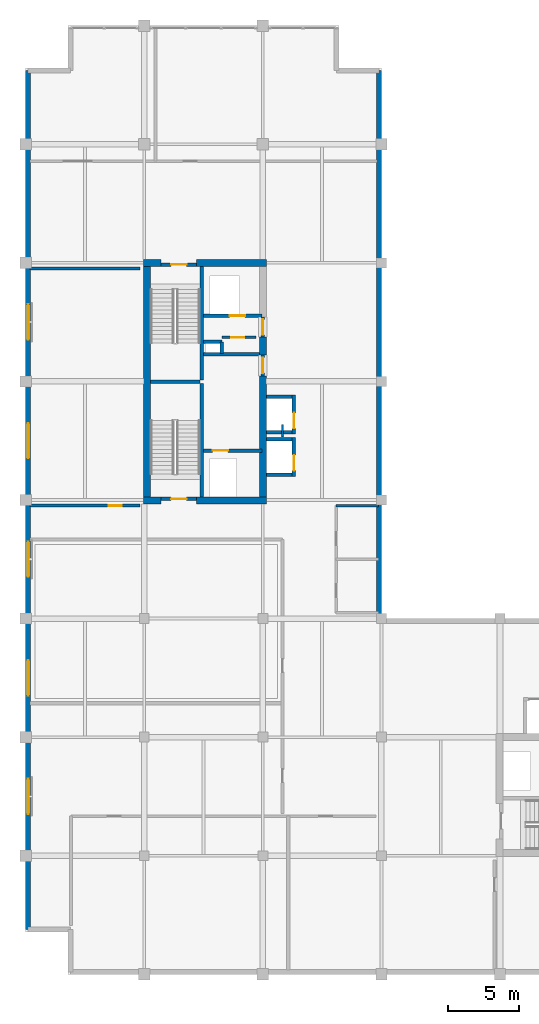
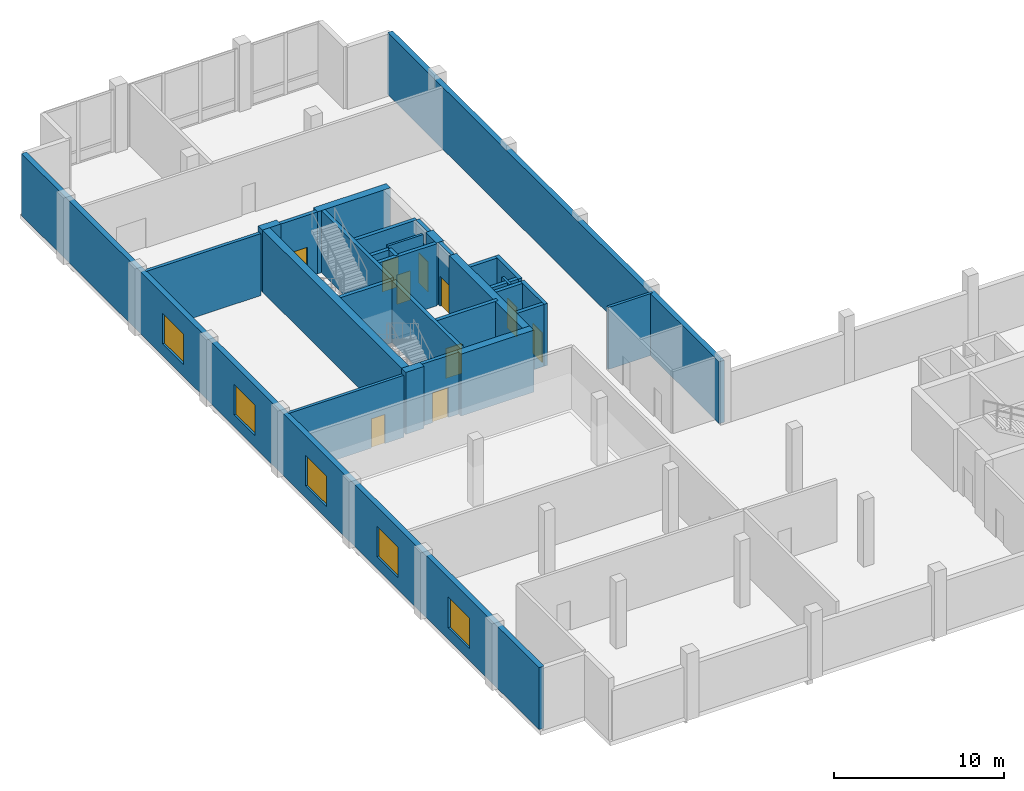
# One storey, part 12 of 18: 32 walls, 10 doors, 5 windows, 15 openings.
"""IFC4 building model written with IfcOpenShell, lengths in metres."""

from ifc_helpers import new_model, si_unit, direction, frame, frame_2d, origin, place, context, subcontext, project, spatial, rectangle, extrude, material, layer, layer_set, type_object, element, fill, save


model = new_model("IFC4")

# Units and contexts
model_context = context("Model", 3, precision=1e-05, world=origin(), true_north=direction((0.0, 1.0)))
body_context = subcontext(model_context, "Body", "Model", "MODEL_VIEW")
ifc_project = project(units=[si_unit("LENGTHUNIT", "METRE"), si_unit("AREAUNIT", "SQUARE_METRE"), si_unit("VOLUMEUNIT", "CUBIC_METRE"), si_unit("PLANEANGLEUNIT", "RADIAN"), si_unit("MASSUNIT", "GRAM", prefix="KILO")], contexts=[model_context])

# Site, building, storey
site_placement = place(None, origin())
site = spatial("IfcSite", under=ifc_project, at=site_placement, CompositionType="ELEMENT")
building_placement = place(site_placement, origin())
building = spatial("IfcBuilding", under=site, at=building_placement, Name="Koriwani Terraces Tower", CompositionType="ELEMENT")
storey_placement = place(building_placement, frame((0.0, 0.0, 363.800048828125)))
storey = spatial("IfcBuildingStorey", under=building, at=storey_placement, Name="L90", CompositionType="ELEMENT", Elevation=363.800048828125)

# Walls
ifc_material_1 = material(Name="Concrete C50/60", Category="concrete")
ifc_layer_1 = layer(ifc_material_1, 0.5, Name="Concrete C50/60")
ifc_layer_set_1 = layer_set([ifc_layer_1], Name="Concrete C50/60")
wall_type_1 = type_object("IfcWallType", Name="WALL_CORE_RC_500", PredefinedType="SHEAR", material=ifc_layer_set_1)
wall_1_placement = place(storey_placement, frame((16.75, 41.949951171875, 0.0), z_axis=(0.0, 0.0, 1.0), x_axis=(1.0, 0.0, 0.0)))
element("IfcWall", 1, at=wall_1_placement, inside=storey, type_object=wall_type_1, Name="L90 West Split Core Shear Wall S1", PredefinedType="SHEAR", context=body_context, shape_type="SweptSolid", body=[
    extrude(rectangle(XDim=1.25, YDim=0.5, at=frame_2d((0.625, 0.0))), origin(), (0.0, 0.0, 1.0), 4.449951171875),
])
wall_2_placement = place(storey_placement, frame((20.5, 41.949951171875, 0.0), z_axis=(0.0, 0.0, 1.0), x_axis=(1.0, 0.0, 0.0)))
element("IfcWall", 2, at=wall_2_placement, inside=storey, type_object=wall_type_1, Name="L90 West Split Core Shear Wall S2", PredefinedType="SHEAR", context=body_context, shape_type="SweptSolid", body=[
    extrude(rectangle(XDim=4.949951171875, YDim=0.5, at=frame_2d((2.47509765625, 0.0))), origin(), (0.0, 0.0, 1.0), 4.449951171875),
])
wall_3_placement = place(storey_placement, frame((16.75, 58.800048828125, 0.0), z_axis=(0.0, 0.0, 1.0), x_axis=(1.0, 0.0, 0.0)))
element("IfcWall", 3, at=wall_3_placement, inside=storey, type_object=wall_type_1, Name="L90 West Split Core Shear Wall N1", PredefinedType="SHEAR", context=body_context, shape_type="SweptSolid", body=[
    extrude(rectangle(XDim=1.25, YDim=0.5, at=frame_2d((0.625, 0.0))), origin(), (0.0, 0.0, 1.0), 4.449951171875),
])
wall_4_placement = place(storey_placement, frame((20.5, 58.800048828125, 0.0), z_axis=(0.0, 0.0, 1.0), x_axis=(1.0, 0.0, 0.0)))
element("IfcWall", 4, at=wall_4_placement, inside=storey, type_object=wall_type_1, Name="L90 West Split Core Shear Wall N2", PredefinedType="SHEAR", context=body_context, shape_type="SweptSolid", body=[
    extrude(rectangle(XDim=4.949951171875, YDim=0.5, at=frame_2d((2.47509765625, 0.0))), origin(), (0.0, 0.0, 1.0), 4.449951171875),
])
wall_5_placement = place(storey_placement, frame((17.0, 42.199951171875, 0.0), z_axis=(0.0, 0.0, 1.0), x_axis=(0.0, 1.0, 0.0)))
element("IfcWall", 5, at=wall_5_placement, inside=storey, type_object=wall_type_1, Name="L90 West Split Core Shear Wall W1", PredefinedType="SHEAR", context=body_context, shape_type="SweptSolid", body=[
    extrude(rectangle(XDim=16.35009765625, YDim=0.5, at=frame_2d((8.175048828125, 0.0))), origin(), (0.0, 0.0, 1.0), 4.449951171875),
])
wall_6_placement = place(storey_placement, frame((25.199951171875, 42.199951171875, 0.0), z_axis=(0.0, 0.0, 1.0), x_axis=(0.0, 1.0, 0.0)))
element("IfcWall", 6, at=wall_6_placement, inside=storey, type_object=wall_type_1, Name="L90 West Split Core Shear Wall E1", PredefinedType="SHEAR", context=body_context, shape_type="SweptSolid", body=[
    extrude(rectangle(XDim=8.60009765625, YDim=0.5, at=frame_2d((4.300048828125, 0.0))), origin(), (0.0, 0.0, 1.0), 4.449951171875),
])
wall_7_placement = place(storey_placement, frame((25.199951171875, 52.280029296875, 0.0), z_axis=(0.0, 0.0, 1.0), x_axis=(0.0, 1.0, 0.0)))
element("IfcWall", 7, at=wall_7_placement, inside=storey, type_object=wall_type_1, Name="L90 West Split Core Shear Wall E2", PredefinedType="SHEAR", context=body_context, shape_type="SweptSolid", body=[
    extrude(rectangle(XDim=1.27001953125, YDim=0.5, at=frame_2d((0.635009765625, 0.0))), origin(), (0.0, 0.0, 1.0), 4.449951171875),
])

# Wall, opening, door
ifc_material_2 = material(Name="Autoclaved Cellular Concrete Blockwork", Category="masonry")
ifc_layer_2 = layer(ifc_material_2, 0.199951171875, Name="Autoclaved Cellular Concrete Blockwork")
ifc_layer_set_2 = layer_set([ifc_layer_2], Name="Autoclaved Cellular Concrete Blockwork")
wall_type_2 = type_object("IfcWallType", Name="WALL_CORRIDOR_200", PredefinedType="PARTITIONING", material=ifc_layer_set_2)
wall_8_placement = place(storey_placement, frame((8.699951171875, 41.60009765625, 0.0), z_axis=(0.0, 0.0, 1.0), x_axis=(1.0, 0.0, 0.0)))
wall_8 = element("IfcWall", 8, at=wall_8_placement, inside=storey, type_object=wall_type_2, Name="L90 Interior Wall WSKY-RECW1-L90", PredefinedType="PARTITIONING", context=body_context, shape_type="SweptSolid", body=[
    extrude(rectangle(XDim=7.800048828125, YDim=0.199951171875, at=frame_2d((3.89990234375, 0.0))), origin(), (0.0, 0.0, 1.0), 4.449951171875),
])
opening_1_placement = place(wall_8_placement, frame((5.60009765625, 0.0, 0.0)))
opening_1 = element("IfcOpeningElement", 9, at=opening_1_placement, cuts=wall_8, Name="Opening D-06", PredefinedType="OPENING", context=body_context, shape_type="SweptSolid", body=[
    extrude(rectangle(XDim=0.919921875, YDim=2.10009765625, at=frame_2d((0.4599609375, 1.050048828125))), frame((0.0, 0.10986328125, 0.0), z_axis=(0.0, -1.0, 0.0), x_axis=(1.0, 0.0, 0.0)), (0.0, 0.0, 1.0), 0.219970703125),
])
ifc_material_3 = material(Name="Architectural Oak Fire Door", Category="wood")
door_type_1 = type_object("IfcDoorType", Name="DOOR_ROOM_INT_920X2100", OperationType="NOTDEFINED", PredefinedType="DOOR", material=ifc_material_3)
door_1_placement = place(opening_1_placement, origin())
door_1 = element("IfcDoor", 10, at=door_1_placement, inside=storey, type_object=door_type_1, Name="L90 Private Summit Boardroom Door", OperationType="SINGLE_SWING_RIGHT", OverallHeight=2.10009765625, OverallWidth=0.919921875, PredefinedType="DOOR", context=body_context, shape_type="SweptSolid", body=[
    extrude(rectangle(XDim=0.919921875, YDim=2.10009765625, at=frame_2d((0.4599609375, 1.050048828125))), frame((0.0, 0.02490234375, 0.0), z_axis=(0.0, -1.0, 0.0), x_axis=(1.0, 0.0, 0.0)), (0.0, 0.0, 1.0), 0.050048828125),
])
fill(opening_1, door_1)

# Wall
ifc_layer_3 = layer(ifc_material_2, 0.219970703125, Name="Autoclaved Cellular Concrete Blockwork")
ifc_layer_set_3 = layer_set([ifc_layer_3], Name="Autoclaved Cellular Concrete Blockwork")
wall_type_3 = type_object("IfcWallType", Name="WALL_DEMISING_220", PredefinedType="PARTITIONING", material=ifc_layer_set_3)
wall_9_placement = place(storey_placement, frame((8.699951171875, 58.39990234375, 0.0), z_axis=(0.0, 0.0, 1.0), x_axis=(1.0, 0.0, 0.0)))
element("IfcWall", 11, at=wall_9_placement, inside=storey, type_object=wall_type_3, Name="L90 Interior Wall WSKY-RECW2-L90", PredefinedType="PARTITIONING", context=body_context, shape_type="SweptSolid", body=[
    extrude(rectangle(XDim=7.800048828125, YDim=0.219970703125, at=frame_2d((3.89990234375, 0.0))), origin(), (0.0, 0.0, 1.0), 4.449951171875),
])

# Wall, openings, windows
ifc_layer_4 = layer(ifc_material_1, 0.35009765625, Name="Concrete C50/60")
ifc_layer_set_4 = layer_set([ifc_layer_4], Name="Concrete C50/60")
wall_type_4 = type_object("IfcWallType", Name="WALL_EXT_BRUTALIST_350", PredefinedType="STANDARD", material=ifc_layer_set_4)
wall_10_placement = place(storey_placement, frame((8.574951171875, 11.574951171875, 0.0), z_axis=(0.0, 0.0, 1.0), x_axis=(0.0, 1.0, 0.0)))
wall_10 = element("IfcWall", 12, at=wall_10_placement, inside=storey, type_object=wall_type_4, Name="L90 Fair-Faced Brutalist Exterior Wall (W)", PredefinedType="STANDARD", context=body_context, shape_type="SweptSolid", body=[
    extrude(rectangle(XDim=60.85009765625, YDim=0.35009765625, at=frame_2d((30.425048828125, 0.0))), origin(), (0.0, 0.0, 1.0), 4.449951171875),
])
opening_2_placement = place(wall_10_placement, frame((8.175048828125, 0.0, 0.85009765625)))
opening_2 = element("IfcOpeningElement", 13, at=opening_2_placement, cuts=wall_10, Name="Opening W-07", PredefinedType="OPENING", context=body_context, shape_type="SweptSolid", body=[
    extrude(rectangle(XDim=2.5, YDim=2.199951171875, at=frame_2d((1.25, 1.10009765625))), frame((0.0, 0.18505859375, 0.0), z_axis=(0.0, -1.0, 0.0), x_axis=(1.0, 0.0, 0.0)), (0.0, 0.0, 1.0), 0.3701171875),
])
opening_3_placement = place(wall_10_placement, frame((16.574951171875, 0.0, 0.85009765625)))
opening_3 = element("IfcOpeningElement", 14, at=opening_3_placement, cuts=wall_10, Name="Opening W-07", PredefinedType="OPENING", context=body_context, shape_type="SweptSolid", body=[
    extrude(rectangle(XDim=2.5, YDim=2.199951171875, at=frame_2d((1.25, 1.10009765625))), frame((0.0, 0.18505859375, 0.0), z_axis=(0.0, -1.0, 0.0), x_axis=(1.0, 0.0, 0.0)), (0.0, 0.0, 1.0), 0.3701171875),
])
opening_4_placement = place(wall_10_placement, frame((24.97509765625, 0.0, 0.85009765625)))
opening_4 = element("IfcOpeningElement", 15, at=opening_4_placement, cuts=wall_10, Name="Opening W-07", PredefinedType="OPENING", context=body_context, shape_type="SweptSolid", body=[
    extrude(rectangle(XDim=2.5, YDim=2.199951171875, at=frame_2d((1.25, 1.10009765625))), frame((0.0, 0.18505859375, 0.0), z_axis=(0.0, -1.0, 0.0), x_axis=(1.0, 0.0, 0.0)), (0.0, 0.0, 1.0), 0.3701171875),
])
opening_5_placement = place(wall_10_placement, frame((33.375, 0.0, 0.85009765625)))
opening_5 = element("IfcOpeningElement", 16, at=opening_5_placement, cuts=wall_10, Name="Opening W-07", PredefinedType="OPENING", context=body_context, shape_type="SweptSolid", body=[
    extrude(rectangle(XDim=2.5, YDim=2.199951171875, at=frame_2d((1.25, 1.10009765625))), frame((0.0, 0.18505859375, 0.0), z_axis=(0.0, -1.0, 0.0), x_axis=(1.0, 0.0, 0.0)), (0.0, 0.0, 1.0), 0.3701171875),
])
opening_6_placement = place(wall_10_placement, frame((41.77490234375, 0.0, 0.85009765625)))
opening_6 = element("IfcOpeningElement", 17, at=opening_6_placement, cuts=wall_10, Name="Opening W-07", PredefinedType="OPENING", context=body_context, shape_type="SweptSolid", body=[
    extrude(rectangle(XDim=2.5, YDim=2.199951171875, at=frame_2d((1.25, 1.10009765625))), frame((0.0, 0.18505859375, 0.0), z_axis=(0.0, -1.0, 0.0), x_axis=(1.0, 0.0, 0.0)), (0.0, 0.0, 1.0), 0.3701171875),
])
ifc_material_4 = material(Name="Tempered Laminated Low-E Glass", Category="glass")
window_type = type_object("IfcWindowType", Name="WIN_SKY_LOUNGE_2500X2200", PartitioningType="SINGLE_PANEL", PredefinedType="WINDOW", material=ifc_material_4)
window_1_placement = place(opening_2_placement, origin())
window_1 = element("IfcWindow", 18, at=window_1_placement, inside=storey, type_object=window_type, Name="L90 Exterior Window (W-3)", OverallHeight=2.199951171875, OverallWidth=2.5, PartitioningType="SINGLE_PANEL", PredefinedType="WINDOW", context=body_context, shape_type="SweptSolid", body=[
    extrude(rectangle(XDim=2.5, YDim=2.199951171875, at=frame_2d((1.25, 1.10009765625))), frame((0.0, 0.030029296875, 0.0), z_axis=(0.0, -1.0, 0.0), x_axis=(1.0, 0.0, 0.0)), (0.0, 0.0, 1.0), 0.06005859375),
])
fill(opening_2, window_1)
window_2_placement = place(opening_3_placement, origin())
window_2 = element("IfcWindow", 19, at=window_2_placement, inside=storey, type_object=window_type, Name="L90 Exterior Window (W-6)", OverallHeight=2.199951171875, OverallWidth=2.5, PartitioningType="SINGLE_PANEL", PredefinedType="WINDOW", context=body_context, shape_type="SweptSolid", body=[
    extrude(rectangle(XDim=2.5, YDim=2.199951171875, at=frame_2d((1.25, 1.10009765625))), frame((0.0, 0.030029296875, 0.0), z_axis=(0.0, -1.0, 0.0), x_axis=(1.0, 0.0, 0.0)), (0.0, 0.0, 1.0), 0.06005859375),
])
fill(opening_3, window_2)
window_3_placement = place(opening_4_placement, origin())
window_3 = element("IfcWindow", 20, at=window_3_placement, inside=storey, type_object=window_type, Name="L90 Exterior Window (W-9)", OverallHeight=2.199951171875, OverallWidth=2.5, PartitioningType="SINGLE_PANEL", PredefinedType="WINDOW", context=body_context, shape_type="SweptSolid", body=[
    extrude(rectangle(XDim=2.5, YDim=2.199951171875, at=frame_2d((1.25, 1.10009765625))), frame((0.0, 0.030029296875, 0.0), z_axis=(0.0, -1.0, 0.0), x_axis=(1.0, 0.0, 0.0)), (0.0, 0.0, 1.0), 0.06005859375),
])
fill(opening_4, window_3)
window_4_placement = place(opening_5_placement, origin())
window_4 = element("IfcWindow", 21, at=window_4_placement, inside=storey, type_object=window_type, Name="L90 Exterior Window (W-12)", OverallHeight=2.199951171875, OverallWidth=2.5, PartitioningType="SINGLE_PANEL", PredefinedType="WINDOW", context=body_context, shape_type="SweptSolid", body=[
    extrude(rectangle(XDim=2.5, YDim=2.199951171875, at=frame_2d((1.25, 1.10009765625))), frame((0.0, 0.030029296875, 0.0), z_axis=(0.0, -1.0, 0.0), x_axis=(1.0, 0.0, 0.0)), (0.0, 0.0, 1.0), 0.06005859375),
])
fill(opening_5, window_4)
window_5_placement = place(opening_6_placement, origin())
window_5 = element("IfcWindow", 22, at=window_5_placement, inside=storey, type_object=window_type, Name="L90 Exterior Window (W-15)", OverallHeight=2.199951171875, OverallWidth=2.5, PartitioningType="SINGLE_PANEL", PredefinedType="WINDOW", context=body_context, shape_type="SweptSolid", body=[
    extrude(rectangle(XDim=2.5, YDim=2.199951171875, at=frame_2d((1.25, 1.10009765625))), frame((0.0, 0.030029296875, 0.0), z_axis=(0.0, -1.0, 0.0), x_axis=(1.0, 0.0, 0.0)), (0.0, 0.0, 1.0), 0.06005859375),
])
fill(opening_6, window_5)

# Walls
wall_11_placement = place(storey_placement, frame((33.425048828125, 72.425048828125, 0.0), z_axis=(0.0, 0.0, 1.0), x_axis=(0.0, -1.0, 0.0)))
element("IfcWall", 23, at=wall_11_placement, inside=storey, type_object=wall_type_4, Name="L90 Fair-Faced Brutalist Exterior Wall (NW_IN)", PredefinedType="STANDARD", context=body_context, shape_type="SweptSolid", body=[
    extrude(rectangle(XDim=39.0, YDim=0.35009765625, at=frame_2d((19.5, 0.0))), origin(), (0.0, 0.0, 1.0), 4.449951171875),
])
ifc_material_5 = material(Name="Fire-Rated Acoustic Gypsum Partition", Category="masonry")
ifc_layer_5 = layer(ifc_material_5, 0.179931640625, Name="Fire-Rated Acoustic Gypsum Partition")
ifc_layer_set_5 = layer_set([ifc_layer_5], Name="Fire-Rated Acoustic Gypsum Partition")
wall_type_5 = type_object("IfcWallType", Name="WALL_PLUMBING_180", PredefinedType="PLUMBINGWALL", material=ifc_layer_set_5)
wall_12_placement = place(storey_placement, frame((30.39990234375, 41.60009765625, 0.0), z_axis=(0.0, 0.0, 1.0), x_axis=(1.0, 0.0, 0.0)))
element("IfcWall", 24, at=wall_12_placement, inside=storey, type_object=wall_type_5, Name="L90 Interior Wall WSKY-WCN-L90", PredefinedType="PLUMBINGWALL", context=body_context, shape_type="SweptSolid", body=[
    extrude(rectangle(XDim=3.0, YDim=0.179931640625, at=frame_2d((1.5, 0.0))), origin(), (0.0, 0.0, 1.0), 4.449951171875),
])
ifc_material_6 = material(Name="Concrete C40/50", Category="concrete")
ifc_layer_6 = layer(ifc_material_6, 0.25, Name="Concrete C40/50")
ifc_layer_set_6 = layer_set([ifc_layer_6], Name="Concrete C40/50")
wall_type_6 = type_object("IfcWallType", Name="WALL_SHAFT_RATED_250", PredefinedType="SOLIDWALL", material=ifc_layer_set_6)
for number, where, z_axis, x_axis, name in (
    (25, (20.875, 42.199951171875, 0.0), (0.0, 0.0, 1.0), (0.0, 1.0, 0.0), "L90 West Split Core Web Wall MID1"),
    (26, (20.875, 50.5, 0.0), (0.0, 0.0, 1.0), (0.0, 1.0, 0.0), "L90 West Split Core Web Wall MID2"),
):
    element("IfcWall", number, at=place(storey_placement, frame(where, z_axis=z_axis, x_axis=x_axis)), inside=storey, type_object=wall_type_6, Name=name, PredefinedType="SOLIDWALL", context=body_context, shape_type="SweptSolid", body=[
        extrude(rectangle(XDim=8.050048828125, YDim=0.25, at=frame_2d((4.02490234375, 0.0))), origin(), (0.0, 0.0, 1.0), 4.449951171875),
    ])
wall_13_placement = place(storey_placement, frame((17.25, 50.375, 0.0), z_axis=(0.0, 0.0, 1.0), x_axis=(1.0, 0.0, 0.0)))
element("IfcWall", 27, at=wall_13_placement, inside=storey, type_object=wall_type_6, Name="L90 West Split Core Stair Dividing Wall", PredefinedType="SOLIDWALL", context=body_context, shape_type="SweptSolid", body=[
    extrude(rectangle(XDim=3.5, YDim=0.25, at=frame_2d((1.75, 0.0))), origin(), (0.0, 0.0, 1.0), 4.449951171875),
])

# Wall, opening, door
wall_14_placement = place(storey_placement, frame((18.0, 42.074951171875, 0.0), z_axis=(0.0, 0.0, 1.0), x_axis=(1.0, 0.0, 0.0)))
wall_14 = element("IfcWall", 28, at=wall_14_placement, inside=storey, type_object=wall_type_6, Name="L90 Interior Wall WIN-CW-L90-STS", PredefinedType="SOLIDWALL", context=body_context, shape_type="SweptSolid", body=[
    extrude(rectangle(XDim=2.5, YDim=0.25, at=frame_2d((1.25, 0.0))), origin(), (0.0, 0.0, 1.0), 4.449951171875),
])
opening_7_placement = place(wall_14_placement, frame((0.699951171875, 0.0, 0.0)))
opening_7 = element("IfcOpeningElement", 29, at=opening_7_placement, cuts=wall_14, Name="Opening D-03", PredefinedType="OPENING", context=body_context, shape_type="SweptSolid", body=[
    extrude(rectangle(XDim=1.10009765625, YDim=2.14990234375, at=frame_2d((0.550048828125, 1.074951171875))), frame((0.0, 0.135009765625, 0.0), z_axis=(0.0, -1.0, 0.0), x_axis=(1.0, 0.0, 0.0)), (0.0, 0.0, 1.0), 0.27001953125),
])
ifc_material_7 = material(Name="Steel ASTM A572 Grade 50", Category="steel")
door_type_2 = type_object("IfcDoorType", Name="DOOR_STAIR_FIRE_1100X2150", OperationType="NOTDEFINED", PredefinedType="DOOR", material=ifc_material_7)
door_2_placement = place(opening_7_placement, origin())
door_2 = element("IfcDoor", 30, at=door_2_placement, inside=storey, type_object=door_type_2, Name="L90 Exit Stair ST-W1 Door", OperationType="SINGLE_SWING_RIGHT", OverallHeight=2.14990234375, OverallWidth=1.10009765625, PredefinedType="DOOR", context=body_context, shape_type="SweptSolid", body=[
    extrude(rectangle(XDim=1.10009765625, YDim=2.14990234375, at=frame_2d((0.550048828125, 1.074951171875))), frame((0.0, 0.02490234375, 0.0), z_axis=(0.0, -1.0, 0.0), x_axis=(1.0, 0.0, 0.0)), (0.0, 0.0, 1.0), 0.050048828125),
])
fill(opening_7, door_2)

wall_15_placement = place(storey_placement, frame((18.0, 58.675048828125, 0.0), z_axis=(0.0, 0.0, 1.0), x_axis=(1.0, 0.0, 0.0)))
wall_15 = element("IfcWall", 31, at=wall_15_placement, inside=storey, type_object=wall_type_6, Name="L90 Interior Wall WIN-CW-L90-STN", PredefinedType="SOLIDWALL", context=body_context, shape_type="SweptSolid", body=[
    extrude(rectangle(XDim=2.5, YDim=0.25, at=frame_2d((1.25, 0.0))), origin(), (0.0, 0.0, 1.0), 4.449951171875),
])
opening_8_placement = place(wall_15_placement, frame((0.699951171875, 0.0, 0.0)))
opening_8 = element("IfcOpeningElement", 32, at=opening_8_placement, cuts=wall_15, Name="Opening D-03", PredefinedType="OPENING", context=body_context, shape_type="SweptSolid", body=[
    extrude(rectangle(XDim=1.10009765625, YDim=2.14990234375, at=frame_2d((0.550048828125, 1.074951171875))), frame((0.0, 0.135009765625, 0.0), z_axis=(0.0, -1.0, 0.0), x_axis=(1.0, 0.0, 0.0)), (0.0, 0.0, 1.0), 0.27001953125),
])
door_3_placement = place(opening_8_placement, origin())
door_3 = element("IfcDoor", 33, at=door_3_placement, inside=storey, type_object=door_type_2, Name="L90 Exit Stair ST-W2 Door", OperationType="SINGLE_SWING_LEFT", OverallHeight=2.14990234375, OverallWidth=1.10009765625, PredefinedType="DOOR", context=body_context, shape_type="SweptSolid", body=[
    extrude(rectangle(XDim=1.10009765625, YDim=2.14990234375, at=frame_2d((0.550048828125, 1.074951171875))), frame((0.0, 0.02490234375, 0.0), z_axis=(0.0, -1.0, 0.0), x_axis=(1.0, 0.0, 0.0)), (0.0, 0.0, 1.0), 0.050048828125),
])
fill(opening_8, door_3)

wall_16_placement = place(storey_placement, frame((21.0, 45.5, 0.0), z_axis=(0.0, 0.0, 1.0), x_axis=(1.0, 0.0, 0.0)))
wall_16 = element("IfcWall", 34, at=wall_16_placement, inside=storey, type_object=wall_type_6, Name="L90 Interior Wall WIN-CW-L90-FE", PredefinedType="SOLIDWALL", context=body_context, shape_type="SweptSolid", body=[
    extrude(rectangle(XDim=4.14990234375, YDim=0.25, at=frame_2d((2.074951171875, 0.0))), origin(), (0.0, 0.0, 1.0), 4.449951171875),
])
opening_9_placement = place(wall_16_placement, frame((0.64990234375, 0.0, 0.0)))
opening_9 = element("IfcOpeningElement", 35, at=opening_9_placement, cuts=wall_16, Name="Opening LD-01", PredefinedType="OPENING", context=body_context, shape_type="SweptSolid", body=[
    extrude(rectangle(XDim=1.10009765625, YDim=2.14990234375, at=frame_2d((0.550048828125, 1.074951171875))), frame((0.0, 0.135009765625, 0.0), z_axis=(0.0, -1.0, 0.0), x_axis=(1.0, 0.0, 0.0)), (0.0, 0.0, 1.0), 0.27001953125),
])
door_type_3 = type_object("IfcDoorType", Name="DOOR_LIFT_LANDING_1100X2200", OperationType="NOTDEFINED", PredefinedType="DOOR", material=ifc_material_7)
door_4_placement = place(opening_9_placement, origin())
door_4 = element("IfcDoor", 36, at=door_4_placement, inside=storey, type_object=door_type_3, Name="L90 Firefighting Lift FE-01 Landing Door", OperationType="SLIDING_TO_LEFT", OverallHeight=2.14990234375, OverallWidth=1.10009765625, PredefinedType="DOOR", context=body_context, shape_type="SweptSolid", body=[
    extrude(rectangle(XDim=1.10009765625, YDim=2.14990234375, at=frame_2d((0.550048828125, 1.074951171875))), frame((0.0, 0.02490234375, 0.0), z_axis=(0.0, -1.0, 0.0), x_axis=(1.0, 0.0, 0.0)), (0.0, 0.0, 1.0), 0.050048828125),
])
fill(opening_9, door_4)

wall_17_placement = place(storey_placement, frame((25.199951171875, 50.800048828125, 0.0), z_axis=(0.0, 0.0, 1.0), x_axis=(0.0, 1.0, 0.0)))
wall_17 = element("IfcWall", 37, at=wall_17_placement, inside=storey, type_object=wall_type_6, Name="L90 Interior Wall WIN-CW-L90-EP", PredefinedType="SOLIDWALL", context=body_context, shape_type="SweptSolid", body=[
    extrude(rectangle(XDim=1.47998046875, YDim=0.25, at=frame_2d((0.739990234375, 0.0))), origin(), (0.0, 0.0, 1.0), 4.449951171875),
])
opening_10_placement = place(wall_17_placement, frame((0.179931640625, 0.0, 0.0)))
opening_10 = element("IfcOpeningElement", 38, at=opening_10_placement, cuts=wall_17, Name="Opening D-03", PredefinedType="OPENING", context=body_context, shape_type="SweptSolid", body=[
    extrude(rectangle(XDim=1.10009765625, YDim=2.14990234375, at=frame_2d((0.550048828125, 1.074951171875))), frame((0.0, 0.135009765625, 0.0), z_axis=(0.0, -1.0, 0.0), x_axis=(1.0, 0.0, 0.0)), (0.0, 0.0, 1.0), 0.27001953125),
])
door_5_placement = place(opening_10_placement, origin())
door_5 = element("IfcDoor", 39, at=door_5_placement, inside=storey, type_object=door_type_2, Name="L90 West Firefighting Lobby Door", OperationType="SINGLE_SWING_RIGHT", OverallHeight=2.14990234375, OverallWidth=1.10009765625, PredefinedType="DOOR", context=body_context, shape_type="SweptSolid", body=[
    extrude(rectangle(XDim=1.10009765625, YDim=2.14990234375, at=frame_2d((0.550048828125, 1.074951171875))), frame((0.0, 0.02490234375, 0.0), z_axis=(0.0, -1.0, 0.0), x_axis=(1.0, 0.0, 0.0)), (0.0, 0.0, 1.0), 0.050048828125),
])
fill(opening_10, door_5)

# Wall
wall_18_placement = place(storey_placement, frame((21.0, 52.340087890625, 0.0), z_axis=(0.0, 0.0, 1.0), x_axis=(1.0, 0.0, 0.0)))
element("IfcWall", 40, at=wall_18_placement, inside=storey, type_object=wall_type_6, Name="L90 Interior Wall WIN-CW-L90-FFN", PredefinedType="SOLIDWALL", context=body_context, shape_type="SweptSolid", body=[
    extrude(rectangle(XDim=3.949951171875, YDim=0.25, at=frame_2d((1.97509765625, 0.0))), origin(), (0.0, 0.0, 1.0), 4.449951171875),
])

# Wall, opening, door
wall_19_placement = place(storey_placement, frame((21.0, 55.050048828125, 0.0), z_axis=(0.0, 0.0, 1.0), x_axis=(1.0, 0.0, 0.0)))
wall_19 = element("IfcWall", 41, at=wall_19_placement, inside=storey, type_object=wall_type_6, Name="L90 Interior Wall WIN-CW-L90-SE", PredefinedType="SOLIDWALL", context=body_context, shape_type="SweptSolid", body=[
    extrude(rectangle(XDim=4.14990234375, YDim=0.25, at=frame_2d((2.074951171875, 0.0))), origin(), (0.0, 0.0, 1.0), 4.449951171875),
])
opening_11_placement = place(wall_19_placement, frame((1.85009765625, 0.0, 0.0)))
opening_11 = element("IfcOpeningElement", 42, at=opening_11_placement, cuts=wall_19, Name="Opening LD-01", PredefinedType="OPENING", context=body_context, shape_type="SweptSolid", body=[
    extrude(rectangle(XDim=1.10009765625, YDim=2.14990234375, at=frame_2d((0.550048828125, 1.074951171875))), frame((0.0, 0.135009765625, 0.0), z_axis=(0.0, -1.0, 0.0), x_axis=(1.0, 0.0, 0.0)), (0.0, 0.0, 1.0), 0.27001953125),
])
door_6_placement = place(opening_11_placement, origin())
door_6 = element("IfcDoor", 43, at=door_6_placement, inside=storey, type_object=door_type_3, Name="L90 Goods Lift SE-01 Landing Door", OperationType="SLIDING_TO_LEFT", OverallHeight=2.14990234375, OverallWidth=1.10009765625, PredefinedType="DOOR", context=body_context, shape_type="SweptSolid", body=[
    extrude(rectangle(XDim=1.10009765625, YDim=2.14990234375, at=frame_2d((0.550048828125, 1.074951171875))), frame((0.0, 0.02490234375, 0.0), z_axis=(0.0, -1.0, 0.0), x_axis=(1.0, 0.0, 0.0)), (0.0, 0.0, 1.0), 0.050048828125),
])
fill(opening_11, door_6)

wall_20_placement = place(storey_placement, frame((25.199951171875, 53.550048828125, 0.0), z_axis=(0.0, 0.0, 1.0), x_axis=(0.0, 1.0, 0.0)))
wall_20 = element("IfcWall", 44, at=wall_20_placement, inside=storey, type_object=wall_type_6, Name="L90 Interior Wall WIN-CW-L90-EP2", PredefinedType="SOLIDWALL", context=body_context, shape_type="SweptSolid", body=[
    extrude(rectangle(XDim=1.39990234375, YDim=0.25, at=frame_2d((0.699951171875, 0.0))), origin(), (0.0, 0.0, 1.0), 4.449951171875),
])
opening_12_placement = place(wall_20_placement, frame((0.14990234375, 0.0, 0.0)))
opening_12 = element("IfcOpeningElement", 45, at=opening_12_placement, cuts=wall_20, Name="Opening D-03", PredefinedType="OPENING", context=body_context, shape_type="SweptSolid", body=[
    extrude(rectangle(XDim=1.10009765625, YDim=2.14990234375, at=frame_2d((0.550048828125, 1.074951171875))), frame((0.0, 0.135009765625, 0.0), z_axis=(0.0, -1.0, 0.0), x_axis=(1.0, 0.0, 0.0)), (0.0, 0.0, 1.0), 0.27001953125),
])
door_7_placement = place(opening_12_placement, origin())
door_7 = element("IfcDoor", 46, at=door_7_placement, inside=storey, type_object=door_type_2, Name="L90 West Goods Lift Lobby Door", OperationType="SINGLE_SWING_LEFT", OverallHeight=2.14990234375, OverallWidth=1.10009765625, PredefinedType="DOOR", context=body_context, shape_type="SweptSolid", body=[
    extrude(rectangle(XDim=1.10009765625, YDim=2.14990234375, at=frame_2d((0.550048828125, 1.074951171875))), frame((0.0, 0.02490234375, 0.0), z_axis=(0.0, -1.0, 0.0), x_axis=(1.0, 0.0, 0.0)), (0.0, 0.0, 1.0), 0.050048828125),
])
fill(opening_12, door_7)

# Walls
wall_21_placement = place(storey_placement, frame((21.0, 53.199951171875, 0.0), z_axis=(0.0, 0.0, 1.0), x_axis=(1.0, 0.0, 0.0)))
element("IfcWall", 47, at=wall_21_placement, inside=storey, type_object=wall_type_6, Name="L90 Interior Wall WIN-CW-L90-RS1", PredefinedType="SOLIDWALL", context=body_context, shape_type="SweptSolid", body=[
    extrude(rectangle(XDim=1.300048828125, YDim=0.25, at=frame_2d((0.64990234375, 0.0))), origin(), (0.0, 0.0, 1.0), 4.449951171875),
])
wall_22_placement = place(storey_placement, frame((22.300048828125, 52.360107421875, 0.0), z_axis=(0.0, 0.0, 1.0), x_axis=(0.0, 1.0, 0.0)))
element("IfcWall", 48, at=wall_22_placement, inside=storey, type_object=wall_type_6, Name="L90 Interior Wall WIN-CW-L90-RS2", PredefinedType="SOLIDWALL", context=body_context, shape_type="SweptSolid", body=[
    extrude(rectangle(XDim=0.83984375, YDim=0.25, at=frame_2d((0.419921875, 0.0))), origin(), (0.0, 0.0, 1.0), 4.449951171875),
])

# Wall, opening, door
wall_23_placement = place(storey_placement, frame((27.39990234375, 43.675048828125, 0.0), z_axis=(0.0, 0.0, 1.0), x_axis=(0.0, 1.0, 0.0)))
wall_23 = element("IfcWall", 49, at=wall_23_placement, inside=storey, type_object=wall_type_6, Name="L90 Interior Wall WIN-LF-PE-H1-L90-F", PredefinedType="SOLIDWALL", context=body_context, shape_type="SweptSolid", body=[
    extrude(rectangle(XDim=2.75, YDim=0.25, at=frame_2d((1.375, 0.0))), origin(), (0.0, 0.0, 1.0), 4.449951171875),
])
opening_13_placement = place(wall_23_placement, frame((0.39990234375, 0.0, 0.0)))
opening_13 = element("IfcOpeningElement", 50, at=opening_13_placement, cuts=wall_23, Name="Opening LD-01", PredefinedType="OPENING", context=body_context, shape_type="SweptSolid", body=[
    extrude(rectangle(XDim=1.10009765625, YDim=2.14990234375, at=frame_2d((0.550048828125, 1.074951171875))), frame((0.0, 0.135009765625, 0.0), z_axis=(0.0, -1.0, 0.0), x_axis=(1.0, 0.0, 0.0)), (0.0, 0.0, 1.0), 0.27001953125),
])
door_8_placement = place(opening_13_placement, origin())
door_8 = element("IfcDoor", 51, at=door_8_placement, inside=storey, type_object=door_type_3, Name="L90 Passenger Lift PE-H1 Landing Door", OperationType="SLIDING_TO_LEFT", OverallHeight=2.14990234375, OverallWidth=1.10009765625, PredefinedType="DOOR", context=body_context, shape_type="SweptSolid", body=[
    extrude(rectangle(XDim=1.10009765625, YDim=2.14990234375, at=frame_2d((0.550048828125, 1.074951171875))), frame((0.0, 0.02490234375, 0.0), z_axis=(0.0, -1.0, 0.0), x_axis=(1.0, 0.0, 0.0)), (0.0, 0.0, 1.0), 0.050048828125),
])
fill(opening_13, door_8)

# Walls
for number, where, z_axis, x_axis, name in (
    (52, (25.449951171875, 43.800048828125, 0.0), (0.0, 0.0, 1.0), (1.0, 0.0, 0.0), "L90 Interior Wall WIN-LF-PE-H1-L90-S"),
    (53, (25.449951171875, 46.300048828125, 0.0), (0.0, 0.0, 1.0), (1.0, 0.0, 0.0), "L90 Interior Wall WIN-LF-PE-H1-L90-N"),
):
    element("IfcWall", number, at=place(storey_placement, frame(where, z_axis=z_axis, x_axis=x_axis)), inside=storey, type_object=wall_type_6, Name=name, PredefinedType="SOLIDWALL", context=body_context, shape_type="SweptSolid", body=[
        extrude(rectangle(XDim=1.824951171875, YDim=0.25, at=frame_2d((0.91259765625, 0.0))), origin(), (0.0, 0.0, 1.0), 4.449951171875),
    ])

# Wall, opening, door
wall_24_placement = place(storey_placement, frame((27.39990234375, 46.675048828125, 0.0), z_axis=(0.0, 0.0, 1.0), x_axis=(0.0, 1.0, 0.0)))
wall_24 = element("IfcWall", 54, at=wall_24_placement, inside=storey, type_object=wall_type_6, Name="L90 Interior Wall WIN-LF-PE-H2-L90-F", PredefinedType="SOLIDWALL", context=body_context, shape_type="SweptSolid", body=[
    extrude(rectangle(XDim=2.75, YDim=0.25, at=frame_2d((1.375, 0.0))), origin(), (0.0, 0.0, 1.0), 4.449951171875),
])
opening_14_placement = place(wall_24_placement, frame((0.39990234375, 0.0, 0.0)))
opening_14 = element("IfcOpeningElement", 55, at=opening_14_placement, cuts=wall_24, Name="Opening LD-01", PredefinedType="OPENING", context=body_context, shape_type="SweptSolid", body=[
    extrude(rectangle(XDim=1.10009765625, YDim=2.14990234375, at=frame_2d((0.550048828125, 1.074951171875))), frame((0.0, 0.135009765625, 0.0), z_axis=(0.0, -1.0, 0.0), x_axis=(1.0, 0.0, 0.0)), (0.0, 0.0, 1.0), 0.27001953125),
])
door_9_placement = place(opening_14_placement, origin())
door_9 = element("IfcDoor", 56, at=door_9_placement, inside=storey, type_object=door_type_3, Name="L90 Passenger Lift PE-H2 Landing Door", OperationType="SLIDING_TO_LEFT", OverallHeight=2.14990234375, OverallWidth=1.10009765625, PredefinedType="DOOR", context=body_context, shape_type="SweptSolid", body=[
    extrude(rectangle(XDim=1.10009765625, YDim=2.14990234375, at=frame_2d((0.550048828125, 1.074951171875))), frame((0.0, 0.02490234375, 0.0), z_axis=(0.0, -1.0, 0.0), x_axis=(1.0, 0.0, 0.0)), (0.0, 0.0, 1.0), 0.050048828125),
])
fill(opening_14, door_9)

# Walls
for number, where, z_axis, x_axis, name in (
    (57, (25.449951171875, 46.800048828125, 0.0), (0.0, 0.0, 1.0), (1.0, 0.0, 0.0), "L90 Interior Wall WIN-LF-PE-H2-L90-S"),
    (58, (25.449951171875, 49.300048828125, 0.0), (0.0, 0.0, 1.0), (1.0, 0.0, 0.0), "L90 Interior Wall WIN-LF-PE-H2-L90-N"),
):
    element("IfcWall", number, at=place(storey_placement, frame(where, z_axis=z_axis, x_axis=x_axis)), inside=storey, type_object=wall_type_6, Name=name, PredefinedType="SOLIDWALL", context=body_context, shape_type="SweptSolid", body=[
        extrude(rectangle(XDim=1.824951171875, YDim=0.25, at=frame_2d((0.91259765625, 0.0))), origin(), (0.0, 0.0, 1.0), 4.449951171875),
    ])

# Wall, opening, door
ifc_layer_7 = layer(ifc_material_5, 0.159912109375, Name="Fire-Rated Acoustic Gypsum Partition")
ifc_layer_set_7 = layer_set([ifc_layer_7], Name="Fire-Rated Acoustic Gypsum Partition")
wall_type_7 = type_object("IfcWallType", Name="WALL_SUITE_160", PredefinedType="PARTITIONING", material=ifc_layer_set_7)
wall_25_placement = place(storey_placement, frame((22.320068359375, 53.52001953125, 0.0), z_axis=(0.0, 0.0, 1.0), x_axis=(1.0, 0.0, 0.0)))
wall_25 = element("IfcWall", 59, at=wall_25_placement, inside=storey, type_object=wall_type_7, Name="L90 Interior Wall WIN-CW-L90-SV0", PredefinedType="PARTITIONING", context=body_context, shape_type="SweptSolid", body=[
    extrude(rectangle(XDim=2.39990234375, YDim=0.159912109375, at=frame_2d((1.199951171875, 0.0))), origin(), (0.0, 0.0, 1.0), 4.449951171875),
])
opening_15_placement = place(wall_25_placement, frame((0.64990234375, 0.0, 0.0)))
opening_15 = element("IfcOpeningElement", 60, at=opening_15_placement, cuts=wall_25, Name="Opening D-07", PredefinedType="OPENING", context=body_context, shape_type="SweptSolid", body=[
    extrude(rectangle(XDim=0.89990234375, YDim=2.10009765625, at=frame_2d((0.449951171875, 1.050048828125))), frame((0.0, 0.08984375, 0.0), z_axis=(0.0, -1.0, 0.0), x_axis=(1.0, 0.0, 0.0)), (0.0, 0.0, 1.0), 0.179931640625),
])
door_type_4 = type_object("IfcDoorType", Name="DOOR_BATH_INT_900X2100", OperationType="NOTDEFINED", PredefinedType="DOOR", material=ifc_material_3)
door_10_placement = place(opening_15_placement, origin())
door_10 = element("IfcDoor", 61, at=door_10_placement, inside=storey, type_object=door_type_4, Name="L90 West Electrical Switch Room Door", OperationType="SINGLE_SWING_RIGHT", OverallHeight=2.10009765625, OverallWidth=0.89990234375, PredefinedType="DOOR", context=body_context, shape_type="SweptSolid", body=[
    extrude(rectangle(XDim=0.89990234375, YDim=2.10009765625, at=frame_2d((0.449951171875, 1.050048828125))), frame((0.0, 0.02490234375, 0.0), z_axis=(0.0, -1.0, 0.0), x_axis=(1.0, 0.0, 0.0)), (0.0, 0.0, 1.0), 0.050048828125),
])
fill(opening_15, door_10)

# Wall
wall_26_placement = place(storey_placement, frame((26.60009765625, 46.4599609375, 0.0), z_axis=(0.0, 0.0, 1.0), x_axis=(0.0, 1.0, 0.0)))
element("IfcWall", 62, at=wall_26_placement, inside=storey, type_object=wall_type_7, Name="L90 Interior Wall WIN-LF-PEH12-MID-L90", PredefinedType="PARTITIONING", context=body_context, shape_type="SweptSolid", body=[
    extrude(rectangle(XDim=0.880126953125, YDim=0.159912109375, at=frame_2d((0.43994140625, 0.0))), origin(), (0.0, 0.0, 1.0), 4.449951171875),
])

save(model, "model.ifc")
